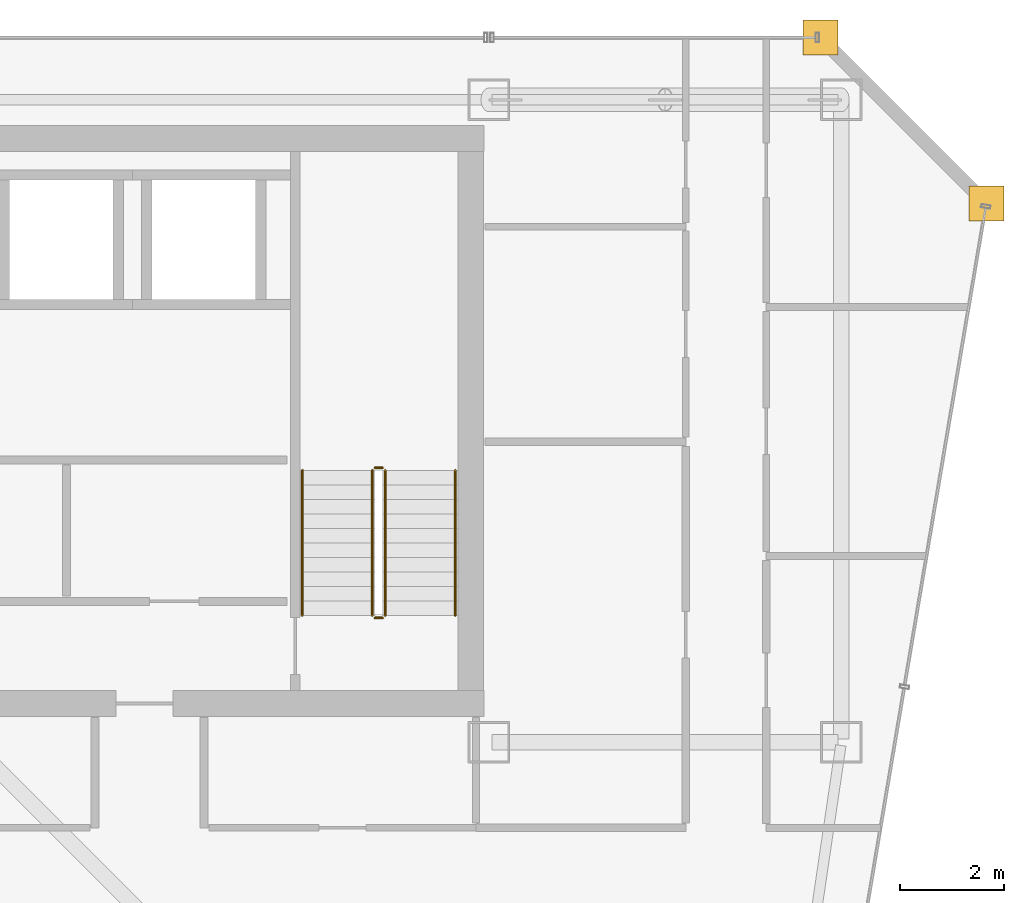
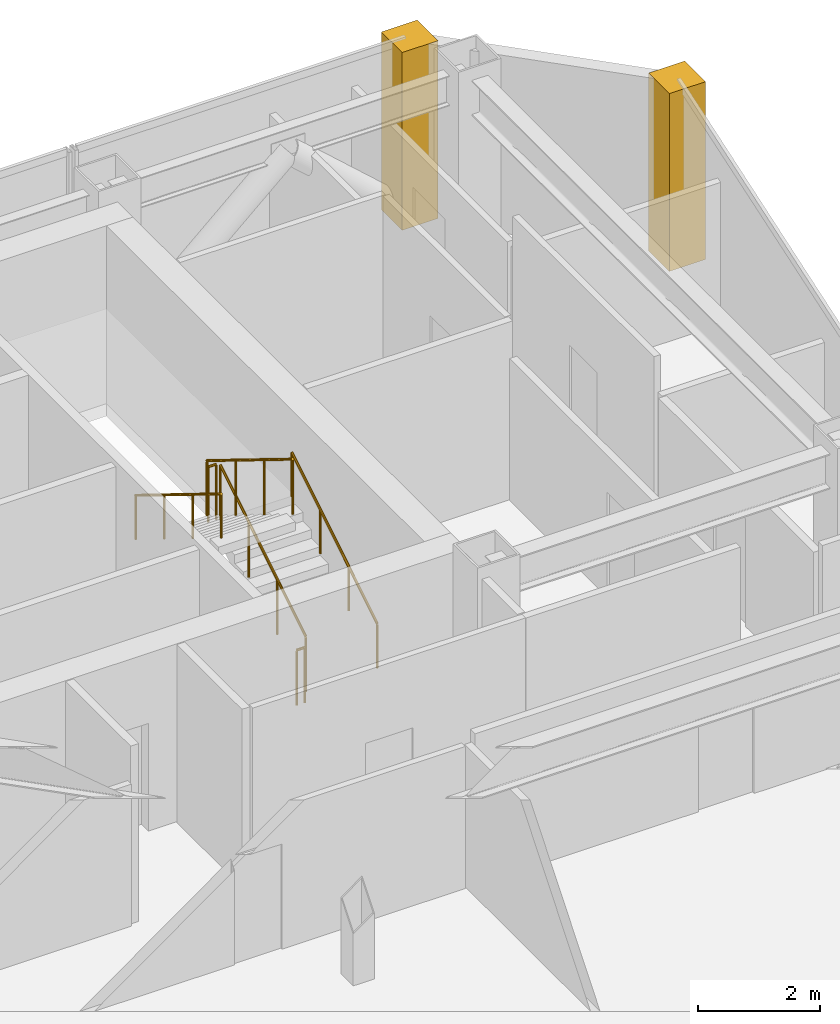
# One storey, part 35 of 35: 6 railings, 2 coverings.
"""IFC4 building model written with IfcOpenShell, lengths in metres."""

from ifc_helpers import new_model, si_unit, direction, frame, origin, origin_2d, place, context, subcontext, project, spatial, polyline, circle, outline, extrude, material, layer, layer_set, type_object, element, save


model = new_model("IFC4")

# Units and contexts
model_context = context("Model", 3, precision=1e-05, world=origin(), true_north=direction((0.0, 1.0)))
body_context = subcontext(model_context, "Body", "Model", "MODEL_VIEW")
ifc_project = project(units=[si_unit("LENGTHUNIT", "METRE"), si_unit("AREAUNIT", "SQUARE_METRE"), si_unit("VOLUMEUNIT", "CUBIC_METRE"), si_unit("PLANEANGLEUNIT", "RADIAN"), si_unit("MASSUNIT", "GRAM", prefix="KILO")], contexts=[model_context])

# Site, building, storey
site_placement = place(None, origin())
site = spatial("IfcSite", under=ifc_project, at=site_placement, CompositionType="ELEMENT")
building_placement = place(site_placement, origin())
building = spatial("IfcBuilding", under=site, at=building_placement, Name="Saevonmaru Cultural Tower", CompositionType="ELEMENT")
storey_placement = place(building_placement, frame((0.0, 0.0, 217.0)))
storey = spatial("IfcBuildingStorey", under=building, at=storey_placement, Name="L50", CompositionType="ELEMENT", Elevation=217.0)

# Coverings
ifc_material_1 = material(Name="Satin Bronze Anodised Aluminium", Category="aluminium")
ifc_layer = layer(ifc_material_1, 0.679931640625, Name="Satin Bronze Anodised Aluminium")
ifc_layer_set = layer_set([ifc_layer], Name="Satin Bronze Anodised Aluminium")
covering_type = type_object("IfcCoveringType", Name="CV-CORNER-CLAD", PredefinedType="CLADDING", material=ifc_layer_set)
covering_1_placement = place(storey_placement, origin())
element("IfcCovering", 1, at=covering_1_placement, inside=storey, type_object=covering_type, Name="L50 Tower Bronze Corner Cladding Pier 9", PredefinedType="CLADDING", context=body_context, shape_type="SweptSolid", body=[
    extrude(outline(polyline([(55.659912109375, 52.4599609375), (56.340087890625, 52.4599609375), (56.340087890625, 53.139892578125), (55.659912109375, 53.139892578125), (55.659912109375, 52.4599609375)])), origin(), (0.0, 0.0, 1.0), 3.550048828125),
])
covering_2_placement = place(storey_placement, origin())
element("IfcCovering", 2, at=covering_2_placement, inside=storey, type_object=covering_type, Name="L50 Tower Bronze Corner Cladding Pier 10", PredefinedType="CLADDING", context=body_context, shape_type="SweptSolid", body=[
    extrude(outline(polyline([(52.4599609375, 55.659912109375), (53.139892578125, 55.659912109375), (53.139892578125, 56.340087890625), (52.4599609375, 56.340087890625), (52.4599609375, 55.659912109375)])), origin(), (0.0, 0.0, 1.0), 3.550048828125),
])

# Railings
ifc_material_2 = material(Name="Architectural Painted Steel", Category="steel")
railing_type_1 = type_object("IfcRailingType", Name="RL-STAIR-GUARD", PredefinedType="GUARDRAIL", material=ifc_material_2)
railing_1_placement = place(storey_placement, frame((44.39990234375, 44.85009765625, 0.172607421875)))
element("IfcRailing", 3, at=railing_1_placement, inside=storey, type_object=railing_type_1, Name="L50 ST-2 stair guard 1", PredefinedType="GUARDRAIL", context=body_context, shape_type="SweptSolid", body=[
    extrude(circle(Radius=0.02392578125, at=origin_2d()), frame((0.0, 0.0, 1.09619140625), z_axis=(0.0, 0.851069175582, 0.525053576669), x_axis=(-1.0, 0.0, 0.0)), (0.0, 0.0, 1.0), 3.289794921875),
    extrude(circle(Radius=0.02099609375, at=origin_2d()), origin(), (0.0, 0.0, 1.0), 1.072021484375),
    extrude(circle(Radius=0.02099609375, at=origin_2d()), frame((0.0, 0.933349609375, 0.57568359375)), (0.0, 0.0, 1.0), 1.072021484375),
    extrude(circle(Radius=0.02099609375, at=origin_2d()), frame((0.0, 1.866455078125, 1.151611328125)), (0.0, 0.0, 1.0), 1.072021484375),
    extrude(circle(Radius=0.02099609375, at=origin_2d()), frame((0.0, 2.7998046875, 1.727294921875)), (0.0, 0.0, 1.0), 1.072021484375),
])
railing_2_placement = place(storey_placement, frame((44.35009765625, 47.699951171875, 1.89990234375)))
element("IfcRailing", 4, at=railing_2_placement, inside=storey, type_object=railing_type_1, Name="L50 ST-2 stair guard 2", PredefinedType="GUARDRAIL", context=body_context, shape_type="SweptSolid", body=[
    extrude(circle(Radius=0.02392578125, at=origin_2d()), frame((0.0, 0.0, 1.09619140625), z_axis=(-1.0, 0.0, 0.0), x_axis=(0.0, -1.0, 0.0)), (0.0, 0.0, 1.0), 0.150146484375),
    extrude(circle(Radius=0.02099609375, at=origin_2d()), origin(), (0.0, 0.0, 1.0), 1.072021484375),
    extrude(circle(Radius=0.02099609375, at=origin_2d()), frame((-0.150146484375, 0.0, 0.0)), (0.0, 0.0, 1.0), 1.072021484375),
])
railing_3_placement = place(storey_placement, frame((44.14990234375, 47.64990234375, 2.07275390625)))
element("IfcRailing", 5, at=railing_3_placement, inside=storey, type_object=railing_type_1, Name="L50 ST-2 stair guard 3", PredefinedType="GUARDRAIL", context=body_context, shape_type="SweptSolid", body=[
    extrude(circle(Radius=0.02392578125, at=origin_2d()), frame((0.0, 0.0, 1.09619140625), z_axis=(0.0, -0.851069175582, 0.525053576669), x_axis=(1.0, 0.0, 0.0)), (0.0, 0.0, 1.0), 3.289794921875),
    extrude(circle(Radius=0.02099609375, at=origin_2d()), origin(), (0.0, 0.0, 1.0), 1.072021484375),
    extrude(circle(Radius=0.02099609375, at=origin_2d()), frame((0.0, -0.933349609375, 0.57568359375)), (0.0, 0.0, 1.0), 1.072021484375),
    extrude(circle(Radius=0.02099609375, at=origin_2d()), frame((0.0, -1.866455078125, 1.151611328125)), (0.0, 0.0, 1.0), 1.072021484375),
    extrude(circle(Radius=0.02099609375, at=origin_2d()), frame((0.0, -2.7998046875, 1.727294921875)), (0.0, 0.0, 1.0), 1.072021484375),
])
railing_4_placement = place(storey_placement, frame((44.35009765625, 44.800048828125, 0.0)))
element("IfcRailing", 6, at=railing_4_placement, inside=storey, type_object=railing_type_1, Name="L50 ST-2 stair guard 4", PredefinedType="GUARDRAIL", context=body_context, shape_type="SweptSolid", body=[
    extrude(circle(Radius=0.02392578125, at=origin_2d()), frame((0.0, 0.0, 1.09619140625), z_axis=(-1.0, 0.0, 0.0), x_axis=(0.0, -1.0, 0.0)), (0.0, 0.0, 1.0), 0.150146484375),
    extrude(circle(Radius=0.02099609375, at=origin_2d()), origin(), (0.0, 0.0, 1.0), 1.072021484375),
    extrude(circle(Radius=0.02099609375, at=origin_2d()), frame((-0.150146484375, 0.0, 0.0)), (0.0, 0.0, 1.0), 1.072021484375),
])
railing_type_2 = type_object("IfcRailingType", Name="RL-STAIR-HANDRAIL", PredefinedType="HANDRAIL", material=ifc_material_1)
railing_5_placement = place(storey_placement, frame((45.75, 44.85009765625, 0.172607421875)))
element("IfcRailing", 7, at=railing_5_placement, inside=storey, type_object=railing_type_2, Name="L50 ST-2 stair handrail 1", PredefinedType="HANDRAIL", context=body_context, shape_type="SweptSolid", body=[
    extrude(circle(Radius=0.02392578125, at=origin_2d()), frame((0.0, 0.0, 0.8759765625), z_axis=(0.0, 0.851069175582, 0.525053576669), x_axis=(-1.0, 0.0, 0.0)), (0.0, 0.0, 1.0), 3.289794921875),
    extrude(circle(Radius=0.02099609375, at=origin_2d()), origin(), (0.0, 0.0, 1.0), 0.851806640625),
    extrude(circle(Radius=0.02099609375, at=origin_2d()), frame((0.0, 0.933349609375, 0.57568359375)), (0.0, 0.0, 1.0), 0.851806640625),
    extrude(circle(Radius=0.02099609375, at=origin_2d()), frame((0.0, 1.866455078125, 1.151611328125)), (0.0, 0.0, 1.0), 0.851806640625),
    extrude(circle(Radius=0.02099609375, at=origin_2d()), frame((0.0, 2.7998046875, 1.727294921875)), (0.0, 0.0, 1.0), 0.851806640625),
])
railing_6_placement = place(storey_placement, frame((42.800048828125, 47.64990234375, 2.07275390625)))
element("IfcRailing", 8, at=railing_6_placement, inside=storey, type_object=railing_type_2, Name="L50 ST-2 stair handrail 2", PredefinedType="HANDRAIL", context=body_context, shape_type="SweptSolid", body=[
    extrude(circle(Radius=0.02392578125, at=origin_2d()), frame((0.0, 0.0, 0.8759765625), z_axis=(0.0, -0.851069175582, 0.525053576669), x_axis=(1.0, 0.0, 0.0)), (0.0, 0.0, 1.0), 3.289794921875),
    extrude(circle(Radius=0.02099609375, at=origin_2d()), origin(), (0.0, 0.0, 1.0), 0.851806640625),
    extrude(circle(Radius=0.02099609375, at=origin_2d()), frame((0.0, -0.933349609375, 0.57568359375)), (0.0, 0.0, 1.0), 0.851806640625),
    extrude(circle(Radius=0.02099609375, at=origin_2d()), frame((0.0, -1.866455078125, 1.151611328125)), (0.0, 0.0, 1.0), 0.851806640625),
    extrude(circle(Radius=0.02099609375, at=origin_2d()), frame((0.0, -2.7998046875, 1.727294921875)), (0.0, 0.0, 1.0), 0.851806640625),
])

save(model, "model.ifc")
